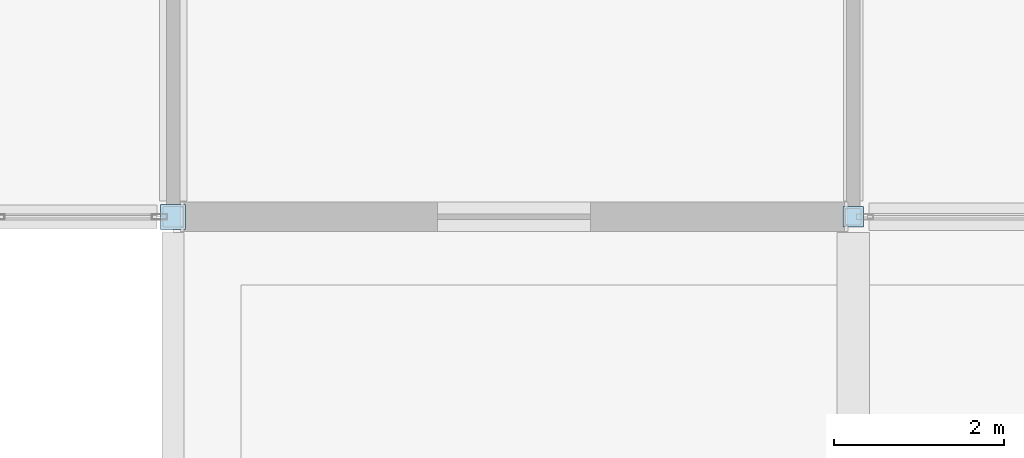
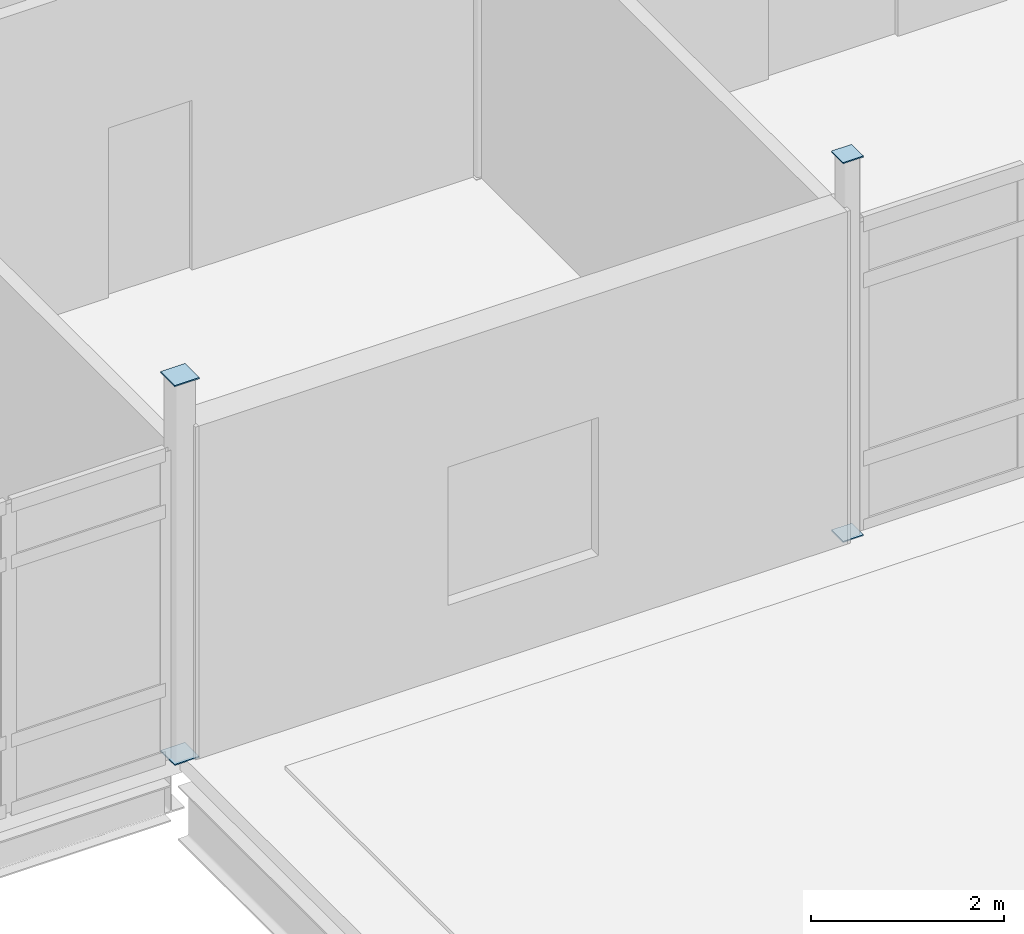
# One storey, part 145 of 186: 4 plates.
"""IFC4 building model written with IfcOpenShell, lengths in metres."""

from ifc_helpers import new_model, si_unit, direction, frame, origin, origin_2d, place, context, subcontext, project, spatial, rectangle, extrude, material, layer, layer_set, type_object, element, save


model = new_model("IFC4")

# Units and contexts
model_context = context("Model", 3, precision=1e-05, world=origin(), true_north=direction((0.0, 1.0)))
body_context = subcontext(model_context, "Body", "Model", "MODEL_VIEW")
ifc_project = project(units=[si_unit("LENGTHUNIT", "METRE"), si_unit("AREAUNIT", "SQUARE_METRE"), si_unit("VOLUMEUNIT", "CUBIC_METRE"), si_unit("PLANEANGLEUNIT", "RADIAN"), si_unit("MASSUNIT", "GRAM", prefix="KILO")], contexts=[model_context])

# Site, building, storey
site_placement = place(None, origin())
site = spatial("IfcSite", under=ifc_project, at=site_placement, CompositionType="ELEMENT")
building_placement = place(site_placement, origin())
building = spatial("IfcBuilding", under=site, at=building_placement, Name="Calvrana Isthmian Art Gallery", CompositionType="ELEMENT")
storey_placement = place(building_placement, frame((0.0, 0.0, 5.39990234375)))
storey = spatial("IfcBuildingStorey", under=building, at=storey_placement, Name="L01", CompositionType="ELEMENT", Elevation=5.39990234375)

# Plates
ifc_material = material(Name="Steel ASTM A572 Gr 50", Category="steel")
ifc_layer = layer(ifc_material, 0.01611328125, Name="Steel ASTM A572 Gr 50")
ifc_layer_set = layer_set([ifc_layer], Name="Steel ASTM A572 Gr 50")
plate_type = type_object("IfcPlateType", Name="PL-CAP-16", PredefinedType="SHEET", material=ifc_layer_set)
for number, where, z_axis, x_axis, name in (
    (1, (96.39990234375, 46.800048828125, -0.008056640625), (0.0, 0.0, 1.0), (1.0, 0.0, 0.0), "Hollow section end cap plate 223"),
    (2, (96.39990234375, 46.800048828125, 4.7919921875), (0.0, 0.0, 1.0), (1.0, 0.0, 0.0), "Hollow section end cap plate 224"),
):
    element("IfcPlate", number, at=place(storey_placement, frame(where, z_axis=z_axis, x_axis=x_axis)), inside=storey, type_object=plate_type, Name=name, PredefinedType="SHEET", context=body_context, shape_type="SweptSolid", body=[
        extrude(rectangle(XDim=0.2939453125, YDim=0.2939453125, at=origin_2d()), origin(), (0.0, 0.0, 1.0), 0.01611328125),
    ])
for number, where, z_axis, x_axis, name in (
    (3, (104.39990234375, 46.800048828125, -0.008056640625), (0.0, 0.0, 1.0), (1.0, 0.0, 0.0), "Hollow section end cap plate 241"),
    (4, (104.39990234375, 46.800048828125, 4.7919921875), (0.0, 0.0, 1.0), (1.0, 0.0, 0.0), "Hollow section end cap plate 242"),
):
    element("IfcPlate", number, at=place(storey_placement, frame(where, z_axis=z_axis, x_axis=x_axis)), inside=storey, type_object=plate_type, Name=name, PredefinedType="SHEET", context=body_context, shape_type="SweptSolid", body=[
        extrude(rectangle(XDim=0.2431640625, YDim=0.2431640625, at=origin_2d()), origin(), (0.0, 0.0, 1.0), 0.01611328125),
    ])

save(model, "model.ifc")
